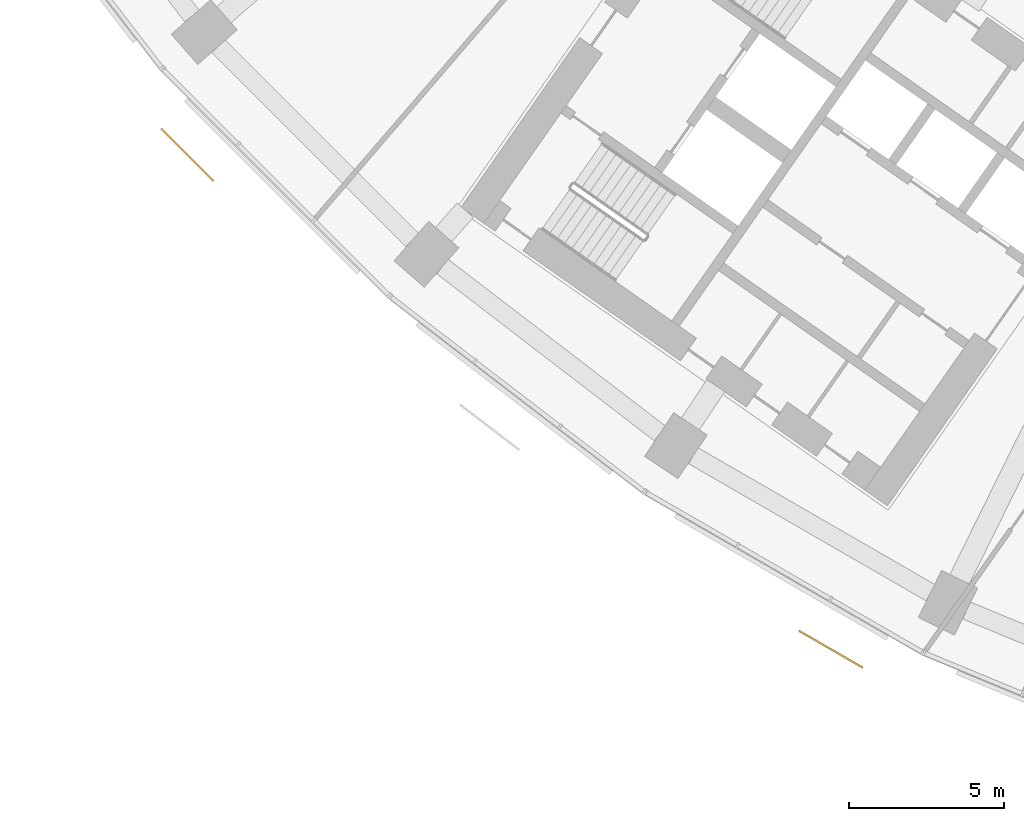
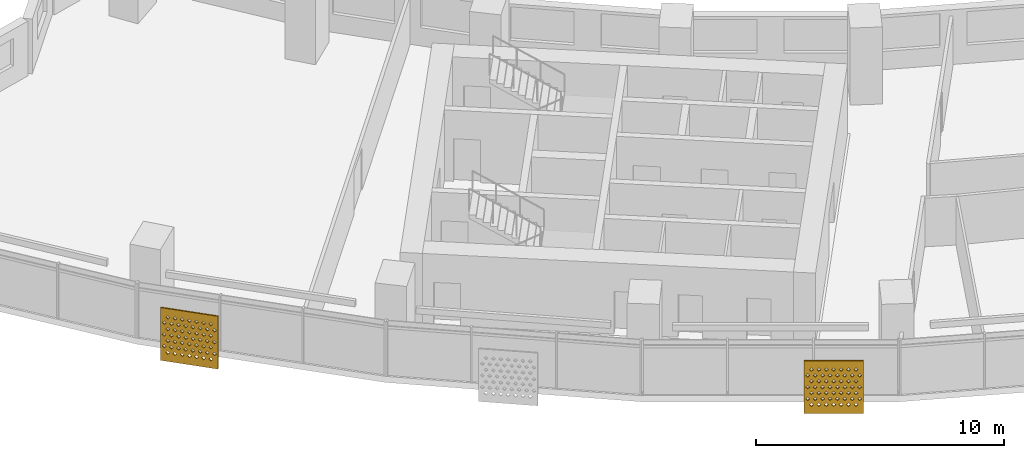
# One storey, part 25 of 31: 2 shading devices.
"""IFC4 building model written with IfcOpenShell, lengths in metres."""

from ifc_helpers import new_model, si_unit, direction, frame, origin, place, context, subcontext, project, spatial, polyline, outline, extrude, material, material_profile, profile_set, type_object, element, save


model = new_model("IFC4")

# Units and contexts
model_context = context("Model", 3, precision=1e-05, world=origin(), true_north=direction((0.0, 1.0)))
body_context = subcontext(model_context, "Body", "Model", "MODEL_VIEW")
ifc_project = project(units=[si_unit("LENGTHUNIT", "METRE"), si_unit("AREAUNIT", "SQUARE_METRE"), si_unit("VOLUMEUNIT", "CUBIC_METRE"), si_unit("PLANEANGLEUNIT", "RADIAN"), si_unit("MASSUNIT", "GRAM", prefix="KILO")], contexts=[model_context])

# Site, building, storey
site_placement = place(None, origin())
site = spatial("IfcSite", under=ifc_project, at=site_placement, CompositionType="ELEMENT")
building_placement = place(site_placement, origin())
building = spatial("IfcBuilding", under=site, at=building_placement, Name="Qamariyya Broadcast Tower", CompositionType="ELEMENT")
storey_placement = place(building_placement, frame((0.0, 0.0, 59.5)))
storey = spatial("IfcBuildingStorey", under=building, at=storey_placement, Name="L11", CompositionType="ELEMENT", Elevation=59.5)

# Shading devices
ifc_material = material(Name="Perforated glazed terracotta", Category="masonry")
ifc_material_profile = material_profile(ifc_material, outline(polyline([(-1.199951171875, -1.300048828125), (1.199951171875, -1.300048828125), (1.199951171875, 1.300048828125), (-1.199951171875, 1.300048828125), (-1.199951171875, -1.300048828125)]), holes=[polyline([(-0.81494140625, -0.86669921875), (-0.89990234375, -0.78173828125), (-0.985107421875, -0.86669921875), (-0.89990234375, -0.95166015625), (-0.81494140625, -0.86669921875)]), polyline([(-0.514892578125, -0.86669921875), (-0.60009765625, -0.78173828125), (-0.68505859375, -0.86669921875), (-0.60009765625, -0.95166015625), (-0.514892578125, -0.86669921875)]), polyline([(-0.215087890625, -0.86669921875), (-0.300048828125, -0.78173828125), (-0.385009765625, -0.86669921875), (-0.300048828125, -0.95166015625), (-0.215087890625, -0.86669921875)]), polyline([(0.0849609375, -0.86669921875), (0.0, -0.78173828125), (-0.0849609375, -0.86669921875), (0.0, -0.95166015625), (0.0849609375, -0.86669921875)]), polyline([(0.385009765625, -0.86669921875), (0.300048828125, -0.78173828125), (0.215087890625, -0.86669921875), (0.300048828125, -0.95166015625), (0.385009765625, -0.86669921875)]), polyline([(0.68505859375, -0.86669921875), (0.60009765625, -0.78173828125), (0.514892578125, -0.86669921875), (0.60009765625, -0.95166015625), (0.68505859375, -0.86669921875)]), polyline([(0.985107421875, -0.86669921875), (0.89990234375, -0.78173828125), (0.81494140625, -0.86669921875), (0.89990234375, -0.95166015625), (0.985107421875, -0.86669921875)]), polyline([(-0.965087890625, -0.577880859375), (-1.050048828125, -0.49267578125), (-1.135009765625, -0.577880859375), (-1.050048828125, -0.662841796875), (-0.965087890625, -0.577880859375)]), polyline([(-0.6650390625, -0.577880859375), (-0.75, -0.49267578125), (-0.8349609375, -0.577880859375), (-0.75, -0.662841796875), (-0.6650390625, -0.577880859375)]), polyline([(-0.364990234375, -0.577880859375), (-0.449951171875, -0.49267578125), (-0.534912109375, -0.577880859375), (-0.449951171875, -0.662841796875), (-0.364990234375, -0.577880859375)]), polyline([(-0.06494140625, -0.577880859375), (-0.14990234375, -0.49267578125), (-0.235107421875, -0.577880859375), (-0.14990234375, -0.662841796875), (-0.06494140625, -0.577880859375)]), polyline([(0.235107421875, -0.577880859375), (0.14990234375, -0.49267578125), (0.06494140625, -0.577880859375), (0.14990234375, -0.662841796875), (0.235107421875, -0.577880859375)]), polyline([(0.534912109375, -0.577880859375), (0.449951171875, -0.49267578125), (0.364990234375, -0.577880859375), (0.449951171875, -0.662841796875), (0.534912109375, -0.577880859375)]), polyline([(0.8349609375, -0.577880859375), (0.75, -0.49267578125), (0.6650390625, -0.577880859375), (0.75, -0.662841796875), (0.8349609375, -0.577880859375)]), polyline([(1.135009765625, -0.577880859375), (1.050048828125, -0.49267578125), (0.965087890625, -0.577880859375), (1.050048828125, -0.662841796875), (1.135009765625, -0.577880859375)]), polyline([(-0.81494140625, -0.288818359375), (-0.89990234375, -0.203857421875), (-0.985107421875, -0.288818359375), (-0.89990234375, -0.373779296875), (-0.81494140625, -0.288818359375)]), polyline([(-0.514892578125, -0.288818359375), (-0.60009765625, -0.203857421875), (-0.68505859375, -0.288818359375), (-0.60009765625, -0.373779296875), (-0.514892578125, -0.288818359375)]), polyline([(-0.215087890625, -0.288818359375), (-0.300048828125, -0.203857421875), (-0.385009765625, -0.288818359375), (-0.300048828125, -0.373779296875), (-0.215087890625, -0.288818359375)]), polyline([(0.0849609375, -0.288818359375), (0.0, -0.203857421875), (-0.0849609375, -0.288818359375), (0.0, -0.373779296875), (0.0849609375, -0.288818359375)]), polyline([(0.385009765625, -0.288818359375), (0.300048828125, -0.203857421875), (0.215087890625, -0.288818359375), (0.300048828125, -0.373779296875), (0.385009765625, -0.288818359375)]), polyline([(0.68505859375, -0.288818359375), (0.60009765625, -0.203857421875), (0.514892578125, -0.288818359375), (0.60009765625, -0.373779296875), (0.68505859375, -0.288818359375)]), polyline([(0.985107421875, -0.288818359375), (0.89990234375, -0.203857421875), (0.81494140625, -0.288818359375), (0.89990234375, -0.373779296875), (0.985107421875, -0.288818359375)]), polyline([(-0.965087890625, 0.0), (-1.050048828125, 0.0849609375), (-1.135009765625, 0.0), (-1.050048828125, -0.0849609375), (-0.965087890625, 0.0)]), polyline([(-0.6650390625, 0.0), (-0.75, 0.0849609375), (-0.8349609375, 0.0), (-0.75, -0.0849609375), (-0.6650390625, 0.0)]), polyline([(-0.364990234375, 0.0), (-0.449951171875, 0.0849609375), (-0.534912109375, 0.0), (-0.449951171875, -0.0849609375), (-0.364990234375, 0.0)]), polyline([(-0.06494140625, 0.0), (-0.14990234375, 0.0849609375), (-0.235107421875, 0.0), (-0.14990234375, -0.0849609375), (-0.06494140625, 0.0)]), polyline([(0.235107421875, 0.0), (0.14990234375, 0.0849609375), (0.06494140625, 0.0), (0.14990234375, -0.0849609375), (0.235107421875, 0.0)]), polyline([(0.534912109375, 0.0), (0.449951171875, 0.0849609375), (0.364990234375, 0.0), (0.449951171875, -0.0849609375), (0.534912109375, 0.0)]), polyline([(0.8349609375, 0.0), (0.75, 0.0849609375), (0.6650390625, 0.0), (0.75, -0.0849609375), (0.8349609375, 0.0)]), polyline([(1.135009765625, 0.0), (1.050048828125, 0.0849609375), (0.965087890625, 0.0), (1.050048828125, -0.0849609375), (1.135009765625, 0.0)]), polyline([(-0.81494140625, 0.288818359375), (-0.89990234375, 0.373779296875), (-0.985107421875, 0.288818359375), (-0.89990234375, 0.203857421875), (-0.81494140625, 0.288818359375)]), polyline([(-0.514892578125, 0.288818359375), (-0.60009765625, 0.373779296875), (-0.68505859375, 0.288818359375), (-0.60009765625, 0.203857421875), (-0.514892578125, 0.288818359375)]), polyline([(-0.215087890625, 0.288818359375), (-0.300048828125, 0.373779296875), (-0.385009765625, 0.288818359375), (-0.300048828125, 0.203857421875), (-0.215087890625, 0.288818359375)]), polyline([(0.0849609375, 0.288818359375), (0.0, 0.373779296875), (-0.0849609375, 0.288818359375), (0.0, 0.203857421875), (0.0849609375, 0.288818359375)]), polyline([(0.385009765625, 0.288818359375), (0.300048828125, 0.373779296875), (0.215087890625, 0.288818359375), (0.300048828125, 0.203857421875), (0.385009765625, 0.288818359375)]), polyline([(0.68505859375, 0.288818359375), (0.60009765625, 0.373779296875), (0.514892578125, 0.288818359375), (0.60009765625, 0.203857421875), (0.68505859375, 0.288818359375)]), polyline([(0.985107421875, 0.288818359375), (0.89990234375, 0.373779296875), (0.81494140625, 0.288818359375), (0.89990234375, 0.203857421875), (0.985107421875, 0.288818359375)]), polyline([(-0.965087890625, 0.577880859375), (-1.050048828125, 0.662841796875), (-1.135009765625, 0.577880859375), (-1.050048828125, 0.49267578125), (-0.965087890625, 0.577880859375)]), polyline([(-0.6650390625, 0.577880859375), (-0.75, 0.662841796875), (-0.8349609375, 0.577880859375), (-0.75, 0.49267578125), (-0.6650390625, 0.577880859375)]), polyline([(-0.364990234375, 0.577880859375), (-0.449951171875, 0.662841796875), (-0.534912109375, 0.577880859375), (-0.449951171875, 0.49267578125), (-0.364990234375, 0.577880859375)]), polyline([(-0.06494140625, 0.577880859375), (-0.14990234375, 0.662841796875), (-0.235107421875, 0.577880859375), (-0.14990234375, 0.49267578125), (-0.06494140625, 0.577880859375)]), polyline([(0.235107421875, 0.577880859375), (0.14990234375, 0.662841796875), (0.06494140625, 0.577880859375), (0.14990234375, 0.49267578125), (0.235107421875, 0.577880859375)]), polyline([(0.534912109375, 0.577880859375), (0.449951171875, 0.662841796875), (0.364990234375, 0.577880859375), (0.449951171875, 0.49267578125), (0.534912109375, 0.577880859375)]), polyline([(0.8349609375, 0.577880859375), (0.75, 0.662841796875), (0.6650390625, 0.577880859375), (0.75, 0.49267578125), (0.8349609375, 0.577880859375)]), polyline([(1.135009765625, 0.577880859375), (1.050048828125, 0.662841796875), (0.965087890625, 0.577880859375), (1.050048828125, 0.49267578125), (1.135009765625, 0.577880859375)]), polyline([(-0.81494140625, 0.86669921875), (-0.89990234375, 0.95166015625), (-0.985107421875, 0.86669921875), (-0.89990234375, 0.78173828125), (-0.81494140625, 0.86669921875)]), polyline([(-0.514892578125, 0.86669921875), (-0.60009765625, 0.95166015625), (-0.68505859375, 0.86669921875), (-0.60009765625, 0.78173828125), (-0.514892578125, 0.86669921875)]), polyline([(-0.215087890625, 0.86669921875), (-0.300048828125, 0.95166015625), (-0.385009765625, 0.86669921875), (-0.300048828125, 0.78173828125), (-0.215087890625, 0.86669921875)]), polyline([(0.0849609375, 0.86669921875), (0.0, 0.95166015625), (-0.0849609375, 0.86669921875), (0.0, 0.78173828125), (0.0849609375, 0.86669921875)]), polyline([(0.385009765625, 0.86669921875), (0.300048828125, 0.95166015625), (0.215087890625, 0.86669921875), (0.300048828125, 0.78173828125), (0.385009765625, 0.86669921875)]), polyline([(0.68505859375, 0.86669921875), (0.60009765625, 0.95166015625), (0.514892578125, 0.86669921875), (0.60009765625, 0.78173828125), (0.68505859375, 0.86669921875)]), polyline([(0.985107421875, 0.86669921875), (0.89990234375, 0.95166015625), (0.81494140625, 0.86669921875), (0.89990234375, 0.78173828125), (0.985107421875, 0.86669921875)])]))
ifc_profile_set = profile_set([ifc_material_profile], Name="Perforated glazed terracotta")
shading_device_type = type_object("IfcShadingDeviceType", Name="Perforated terracotta screen 2400 x 2600", PredefinedType="USERDEFINED", material=ifc_profile_set)
shading_device_1_placement = place(storey_placement, frame((-58.977294921875, -55.2197265625, 1.35009765625), z_axis=(-0.707106781187, -0.707106781187, 0.0), x_axis=(0.707106781187, -0.707106781187, 0.0)))
element("IfcShadingDevice", 1, at=shading_device_1_placement, inside=storey, type_object=shading_device_type, Name="e-scr-L11-02-0", ObjectType="SCREEN", PredefinedType="USERDEFINED", context=body_context, shape_type="SweptSolid", body=[
    extrude(outline(polyline([(-1.199951171875, -1.300048828125), (1.199951171875, -1.300048828125), (1.199951171875, 1.300048828125), (-1.199951171875, 1.300048828125), (-1.199951171875, -1.300048828125)]), holes=[polyline([(-0.81494140625, -0.86669921875), (-0.89990234375, -0.78173828125), (-0.985107421875, -0.86669921875), (-0.89990234375, -0.95166015625), (-0.81494140625, -0.86669921875)]), polyline([(-0.514892578125, -0.86669921875), (-0.60009765625, -0.78173828125), (-0.68505859375, -0.86669921875), (-0.60009765625, -0.95166015625), (-0.514892578125, -0.86669921875)]), polyline([(-0.215087890625, -0.86669921875), (-0.300048828125, -0.78173828125), (-0.385009765625, -0.86669921875), (-0.300048828125, -0.95166015625), (-0.215087890625, -0.86669921875)]), polyline([(0.0849609375, -0.86669921875), (0.0, -0.78173828125), (-0.0849609375, -0.86669921875), (0.0, -0.95166015625), (0.0849609375, -0.86669921875)]), polyline([(0.385009765625, -0.86669921875), (0.300048828125, -0.78173828125), (0.215087890625, -0.86669921875), (0.300048828125, -0.95166015625), (0.385009765625, -0.86669921875)]), polyline([(0.68505859375, -0.86669921875), (0.60009765625, -0.78173828125), (0.514892578125, -0.86669921875), (0.60009765625, -0.95166015625), (0.68505859375, -0.86669921875)]), polyline([(0.985107421875, -0.86669921875), (0.89990234375, -0.78173828125), (0.81494140625, -0.86669921875), (0.89990234375, -0.95166015625), (0.985107421875, -0.86669921875)]), polyline([(-0.965087890625, -0.577880859375), (-1.050048828125, -0.49267578125), (-1.135009765625, -0.577880859375), (-1.050048828125, -0.662841796875), (-0.965087890625, -0.577880859375)]), polyline([(-0.6650390625, -0.577880859375), (-0.75, -0.49267578125), (-0.8349609375, -0.577880859375), (-0.75, -0.662841796875), (-0.6650390625, -0.577880859375)]), polyline([(-0.364990234375, -0.577880859375), (-0.449951171875, -0.49267578125), (-0.534912109375, -0.577880859375), (-0.449951171875, -0.662841796875), (-0.364990234375, -0.577880859375)]), polyline([(-0.06494140625, -0.577880859375), (-0.14990234375, -0.49267578125), (-0.235107421875, -0.577880859375), (-0.14990234375, -0.662841796875), (-0.06494140625, -0.577880859375)]), polyline([(0.235107421875, -0.577880859375), (0.14990234375, -0.49267578125), (0.06494140625, -0.577880859375), (0.14990234375, -0.662841796875), (0.235107421875, -0.577880859375)]), polyline([(0.534912109375, -0.577880859375), (0.449951171875, -0.49267578125), (0.364990234375, -0.577880859375), (0.449951171875, -0.662841796875), (0.534912109375, -0.577880859375)]), polyline([(0.8349609375, -0.577880859375), (0.75, -0.49267578125), (0.6650390625, -0.577880859375), (0.75, -0.662841796875), (0.8349609375, -0.577880859375)]), polyline([(1.135009765625, -0.577880859375), (1.050048828125, -0.49267578125), (0.965087890625, -0.577880859375), (1.050048828125, -0.662841796875), (1.135009765625, -0.577880859375)]), polyline([(-0.81494140625, -0.288818359375), (-0.89990234375, -0.203857421875), (-0.985107421875, -0.288818359375), (-0.89990234375, -0.373779296875), (-0.81494140625, -0.288818359375)]), polyline([(-0.514892578125, -0.288818359375), (-0.60009765625, -0.203857421875), (-0.68505859375, -0.288818359375), (-0.60009765625, -0.373779296875), (-0.514892578125, -0.288818359375)]), polyline([(-0.215087890625, -0.288818359375), (-0.300048828125, -0.203857421875), (-0.385009765625, -0.288818359375), (-0.300048828125, -0.373779296875), (-0.215087890625, -0.288818359375)]), polyline([(0.0849609375, -0.288818359375), (0.0, -0.203857421875), (-0.0849609375, -0.288818359375), (0.0, -0.373779296875), (0.0849609375, -0.288818359375)]), polyline([(0.385009765625, -0.288818359375), (0.300048828125, -0.203857421875), (0.215087890625, -0.288818359375), (0.300048828125, -0.373779296875), (0.385009765625, -0.288818359375)]), polyline([(0.68505859375, -0.288818359375), (0.60009765625, -0.203857421875), (0.514892578125, -0.288818359375), (0.60009765625, -0.373779296875), (0.68505859375, -0.288818359375)]), polyline([(0.985107421875, -0.288818359375), (0.89990234375, -0.203857421875), (0.81494140625, -0.288818359375), (0.89990234375, -0.373779296875), (0.985107421875, -0.288818359375)]), polyline([(-0.965087890625, 0.0), (-1.050048828125, 0.0849609375), (-1.135009765625, 0.0), (-1.050048828125, -0.0849609375), (-0.965087890625, 0.0)]), polyline([(-0.6650390625, 0.0), (-0.75, 0.0849609375), (-0.8349609375, 0.0), (-0.75, -0.0849609375), (-0.6650390625, 0.0)]), polyline([(-0.364990234375, 0.0), (-0.449951171875, 0.0849609375), (-0.534912109375, 0.0), (-0.449951171875, -0.0849609375), (-0.364990234375, 0.0)]), polyline([(-0.06494140625, 0.0), (-0.14990234375, 0.0849609375), (-0.235107421875, 0.0), (-0.14990234375, -0.0849609375), (-0.06494140625, 0.0)]), polyline([(0.235107421875, 0.0), (0.14990234375, 0.0849609375), (0.06494140625, 0.0), (0.14990234375, -0.0849609375), (0.235107421875, 0.0)]), polyline([(0.534912109375, 0.0), (0.449951171875, 0.0849609375), (0.364990234375, 0.0), (0.449951171875, -0.0849609375), (0.534912109375, 0.0)]), polyline([(0.8349609375, 0.0), (0.75, 0.0849609375), (0.6650390625, 0.0), (0.75, -0.0849609375), (0.8349609375, 0.0)]), polyline([(1.135009765625, 0.0), (1.050048828125, 0.0849609375), (0.965087890625, 0.0), (1.050048828125, -0.0849609375), (1.135009765625, 0.0)]), polyline([(-0.81494140625, 0.288818359375), (-0.89990234375, 0.373779296875), (-0.985107421875, 0.288818359375), (-0.89990234375, 0.203857421875), (-0.81494140625, 0.288818359375)]), polyline([(-0.514892578125, 0.288818359375), (-0.60009765625, 0.373779296875), (-0.68505859375, 0.288818359375), (-0.60009765625, 0.203857421875), (-0.514892578125, 0.288818359375)]), polyline([(-0.215087890625, 0.288818359375), (-0.300048828125, 0.373779296875), (-0.385009765625, 0.288818359375), (-0.300048828125, 0.203857421875), (-0.215087890625, 0.288818359375)]), polyline([(0.0849609375, 0.288818359375), (0.0, 0.373779296875), (-0.0849609375, 0.288818359375), (0.0, 0.203857421875), (0.0849609375, 0.288818359375)]), polyline([(0.385009765625, 0.288818359375), (0.300048828125, 0.373779296875), (0.215087890625, 0.288818359375), (0.300048828125, 0.203857421875), (0.385009765625, 0.288818359375)]), polyline([(0.68505859375, 0.288818359375), (0.60009765625, 0.373779296875), (0.514892578125, 0.288818359375), (0.60009765625, 0.203857421875), (0.68505859375, 0.288818359375)]), polyline([(0.985107421875, 0.288818359375), (0.89990234375, 0.373779296875), (0.81494140625, 0.288818359375), (0.89990234375, 0.203857421875), (0.985107421875, 0.288818359375)]), polyline([(-0.965087890625, 0.577880859375), (-1.050048828125, 0.662841796875), (-1.135009765625, 0.577880859375), (-1.050048828125, 0.49267578125), (-0.965087890625, 0.577880859375)]), polyline([(-0.6650390625, 0.577880859375), (-0.75, 0.662841796875), (-0.8349609375, 0.577880859375), (-0.75, 0.49267578125), (-0.6650390625, 0.577880859375)]), polyline([(-0.364990234375, 0.577880859375), (-0.449951171875, 0.662841796875), (-0.534912109375, 0.577880859375), (-0.449951171875, 0.49267578125), (-0.364990234375, 0.577880859375)]), polyline([(-0.06494140625, 0.577880859375), (-0.14990234375, 0.662841796875), (-0.235107421875, 0.577880859375), (-0.14990234375, 0.49267578125), (-0.06494140625, 0.577880859375)]), polyline([(0.235107421875, 0.577880859375), (0.14990234375, 0.662841796875), (0.06494140625, 0.577880859375), (0.14990234375, 0.49267578125), (0.235107421875, 0.577880859375)]), polyline([(0.534912109375, 0.577880859375), (0.449951171875, 0.662841796875), (0.364990234375, 0.577880859375), (0.449951171875, 0.49267578125), (0.534912109375, 0.577880859375)]), polyline([(0.8349609375, 0.577880859375), (0.75, 0.662841796875), (0.6650390625, 0.577880859375), (0.75, 0.49267578125), (0.8349609375, 0.577880859375)]), polyline([(1.135009765625, 0.577880859375), (1.050048828125, 0.662841796875), (0.965087890625, 0.577880859375), (1.050048828125, 0.49267578125), (1.135009765625, 0.577880859375)]), polyline([(-0.81494140625, 0.86669921875), (-0.89990234375, 0.95166015625), (-0.985107421875, 0.86669921875), (-0.89990234375, 0.78173828125), (-0.81494140625, 0.86669921875)]), polyline([(-0.514892578125, 0.86669921875), (-0.60009765625, 0.95166015625), (-0.68505859375, 0.86669921875), (-0.60009765625, 0.78173828125), (-0.514892578125, 0.86669921875)]), polyline([(-0.215087890625, 0.86669921875), (-0.300048828125, 0.95166015625), (-0.385009765625, 0.86669921875), (-0.300048828125, 0.78173828125), (-0.215087890625, 0.86669921875)]), polyline([(0.0849609375, 0.86669921875), (0.0, 0.95166015625), (-0.0849609375, 0.86669921875), (0.0, 0.78173828125), (0.0849609375, 0.86669921875)]), polyline([(0.385009765625, 0.86669921875), (0.300048828125, 0.95166015625), (0.215087890625, 0.86669921875), (0.300048828125, 0.78173828125), (0.385009765625, 0.86669921875)]), polyline([(0.68505859375, 0.86669921875), (0.60009765625, 0.95166015625), (0.514892578125, 0.86669921875), (0.60009765625, 0.78173828125), (0.68505859375, 0.86669921875)]), polyline([(0.985107421875, 0.86669921875), (0.89990234375, 0.95166015625), (0.81494140625, 0.86669921875), (0.89990234375, 0.78173828125), (0.985107421875, 0.86669921875)])]), origin(), (0.0, 0.0, 1.0), 0.06005859375),
])
shading_device_2_placement = place(storey_placement, frame((-38.164306640625, -71.207275390625, 1.35009765625), z_axis=(-0.500074377092, -0.865982457891, 0.0), x_axis=(0.865982457891, -0.500074377092, 0.0)))
element("IfcShadingDevice", 2, at=shading_device_2_placement, inside=storey, type_object=shading_device_type, Name="e-scr-L11-04-2", ObjectType="SCREEN", PredefinedType="USERDEFINED", context=body_context, shape_type="SweptSolid", body=[
    extrude(outline(polyline([(-1.199951171875, -1.300048828125), (1.199951171875, -1.300048828125), (1.199951171875, 1.300048828125), (-1.199951171875, 1.300048828125), (-1.199951171875, -1.300048828125)]), holes=[polyline([(-0.81494140625, -0.86669921875), (-0.89990234375, -0.78173828125), (-0.985107421875, -0.86669921875), (-0.89990234375, -0.95166015625), (-0.81494140625, -0.86669921875)]), polyline([(-0.514892578125, -0.86669921875), (-0.60009765625, -0.78173828125), (-0.68505859375, -0.86669921875), (-0.60009765625, -0.95166015625), (-0.514892578125, -0.86669921875)]), polyline([(-0.215087890625, -0.86669921875), (-0.300048828125, -0.78173828125), (-0.385009765625, -0.86669921875), (-0.300048828125, -0.95166015625), (-0.215087890625, -0.86669921875)]), polyline([(0.0849609375, -0.86669921875), (0.0, -0.78173828125), (-0.0849609375, -0.86669921875), (0.0, -0.95166015625), (0.0849609375, -0.86669921875)]), polyline([(0.385009765625, -0.86669921875), (0.300048828125, -0.78173828125), (0.215087890625, -0.86669921875), (0.300048828125, -0.95166015625), (0.385009765625, -0.86669921875)]), polyline([(0.68505859375, -0.86669921875), (0.60009765625, -0.78173828125), (0.514892578125, -0.86669921875), (0.60009765625, -0.95166015625), (0.68505859375, -0.86669921875)]), polyline([(0.985107421875, -0.86669921875), (0.89990234375, -0.78173828125), (0.81494140625, -0.86669921875), (0.89990234375, -0.95166015625), (0.985107421875, -0.86669921875)]), polyline([(-0.965087890625, -0.577880859375), (-1.050048828125, -0.49267578125), (-1.135009765625, -0.577880859375), (-1.050048828125, -0.662841796875), (-0.965087890625, -0.577880859375)]), polyline([(-0.6650390625, -0.577880859375), (-0.75, -0.49267578125), (-0.8349609375, -0.577880859375), (-0.75, -0.662841796875), (-0.6650390625, -0.577880859375)]), polyline([(-0.364990234375, -0.577880859375), (-0.449951171875, -0.49267578125), (-0.534912109375, -0.577880859375), (-0.449951171875, -0.662841796875), (-0.364990234375, -0.577880859375)]), polyline([(-0.06494140625, -0.577880859375), (-0.14990234375, -0.49267578125), (-0.235107421875, -0.577880859375), (-0.14990234375, -0.662841796875), (-0.06494140625, -0.577880859375)]), polyline([(0.235107421875, -0.577880859375), (0.14990234375, -0.49267578125), (0.06494140625, -0.577880859375), (0.14990234375, -0.662841796875), (0.235107421875, -0.577880859375)]), polyline([(0.534912109375, -0.577880859375), (0.449951171875, -0.49267578125), (0.364990234375, -0.577880859375), (0.449951171875, -0.662841796875), (0.534912109375, -0.577880859375)]), polyline([(0.8349609375, -0.577880859375), (0.75, -0.49267578125), (0.6650390625, -0.577880859375), (0.75, -0.662841796875), (0.8349609375, -0.577880859375)]), polyline([(1.135009765625, -0.577880859375), (1.050048828125, -0.49267578125), (0.965087890625, -0.577880859375), (1.050048828125, -0.662841796875), (1.135009765625, -0.577880859375)]), polyline([(-0.81494140625, -0.288818359375), (-0.89990234375, -0.203857421875), (-0.985107421875, -0.288818359375), (-0.89990234375, -0.373779296875), (-0.81494140625, -0.288818359375)]), polyline([(-0.514892578125, -0.288818359375), (-0.60009765625, -0.203857421875), (-0.68505859375, -0.288818359375), (-0.60009765625, -0.373779296875), (-0.514892578125, -0.288818359375)]), polyline([(-0.215087890625, -0.288818359375), (-0.300048828125, -0.203857421875), (-0.385009765625, -0.288818359375), (-0.300048828125, -0.373779296875), (-0.215087890625, -0.288818359375)]), polyline([(0.0849609375, -0.288818359375), (0.0, -0.203857421875), (-0.0849609375, -0.288818359375), (0.0, -0.373779296875), (0.0849609375, -0.288818359375)]), polyline([(0.385009765625, -0.288818359375), (0.300048828125, -0.203857421875), (0.215087890625, -0.288818359375), (0.300048828125, -0.373779296875), (0.385009765625, -0.288818359375)]), polyline([(0.68505859375, -0.288818359375), (0.60009765625, -0.203857421875), (0.514892578125, -0.288818359375), (0.60009765625, -0.373779296875), (0.68505859375, -0.288818359375)]), polyline([(0.985107421875, -0.288818359375), (0.89990234375, -0.203857421875), (0.81494140625, -0.288818359375), (0.89990234375, -0.373779296875), (0.985107421875, -0.288818359375)]), polyline([(-0.965087890625, 0.0), (-1.050048828125, 0.0849609375), (-1.135009765625, 0.0), (-1.050048828125, -0.0849609375), (-0.965087890625, 0.0)]), polyline([(-0.6650390625, 0.0), (-0.75, 0.0849609375), (-0.8349609375, 0.0), (-0.75, -0.0849609375), (-0.6650390625, 0.0)]), polyline([(-0.364990234375, 0.0), (-0.449951171875, 0.0849609375), (-0.534912109375, 0.0), (-0.449951171875, -0.0849609375), (-0.364990234375, 0.0)]), polyline([(-0.06494140625, 0.0), (-0.14990234375, 0.0849609375), (-0.235107421875, 0.0), (-0.14990234375, -0.0849609375), (-0.06494140625, 0.0)]), polyline([(0.235107421875, 0.0), (0.14990234375, 0.0849609375), (0.06494140625, 0.0), (0.14990234375, -0.0849609375), (0.235107421875, 0.0)]), polyline([(0.534912109375, 0.0), (0.449951171875, 0.0849609375), (0.364990234375, 0.0), (0.449951171875, -0.0849609375), (0.534912109375, 0.0)]), polyline([(0.8349609375, 0.0), (0.75, 0.0849609375), (0.6650390625, 0.0), (0.75, -0.0849609375), (0.8349609375, 0.0)]), polyline([(1.135009765625, 0.0), (1.050048828125, 0.0849609375), (0.965087890625, 0.0), (1.050048828125, -0.0849609375), (1.135009765625, 0.0)]), polyline([(-0.81494140625, 0.288818359375), (-0.89990234375, 0.373779296875), (-0.985107421875, 0.288818359375), (-0.89990234375, 0.203857421875), (-0.81494140625, 0.288818359375)]), polyline([(-0.514892578125, 0.288818359375), (-0.60009765625, 0.373779296875), (-0.68505859375, 0.288818359375), (-0.60009765625, 0.203857421875), (-0.514892578125, 0.288818359375)]), polyline([(-0.215087890625, 0.288818359375), (-0.300048828125, 0.373779296875), (-0.385009765625, 0.288818359375), (-0.300048828125, 0.203857421875), (-0.215087890625, 0.288818359375)]), polyline([(0.0849609375, 0.288818359375), (0.0, 0.373779296875), (-0.0849609375, 0.288818359375), (0.0, 0.203857421875), (0.0849609375, 0.288818359375)]), polyline([(0.385009765625, 0.288818359375), (0.300048828125, 0.373779296875), (0.215087890625, 0.288818359375), (0.300048828125, 0.203857421875), (0.385009765625, 0.288818359375)]), polyline([(0.68505859375, 0.288818359375), (0.60009765625, 0.373779296875), (0.514892578125, 0.288818359375), (0.60009765625, 0.203857421875), (0.68505859375, 0.288818359375)]), polyline([(0.985107421875, 0.288818359375), (0.89990234375, 0.373779296875), (0.81494140625, 0.288818359375), (0.89990234375, 0.203857421875), (0.985107421875, 0.288818359375)]), polyline([(-0.965087890625, 0.577880859375), (-1.050048828125, 0.662841796875), (-1.135009765625, 0.577880859375), (-1.050048828125, 0.49267578125), (-0.965087890625, 0.577880859375)]), polyline([(-0.6650390625, 0.577880859375), (-0.75, 0.662841796875), (-0.8349609375, 0.577880859375), (-0.75, 0.49267578125), (-0.6650390625, 0.577880859375)]), polyline([(-0.364990234375, 0.577880859375), (-0.449951171875, 0.662841796875), (-0.534912109375, 0.577880859375), (-0.449951171875, 0.49267578125), (-0.364990234375, 0.577880859375)]), polyline([(-0.06494140625, 0.577880859375), (-0.14990234375, 0.662841796875), (-0.235107421875, 0.577880859375), (-0.14990234375, 0.49267578125), (-0.06494140625, 0.577880859375)]), polyline([(0.235107421875, 0.577880859375), (0.14990234375, 0.662841796875), (0.06494140625, 0.577880859375), (0.14990234375, 0.49267578125), (0.235107421875, 0.577880859375)]), polyline([(0.534912109375, 0.577880859375), (0.449951171875, 0.662841796875), (0.364990234375, 0.577880859375), (0.449951171875, 0.49267578125), (0.534912109375, 0.577880859375)]), polyline([(0.8349609375, 0.577880859375), (0.75, 0.662841796875), (0.6650390625, 0.577880859375), (0.75, 0.49267578125), (0.8349609375, 0.577880859375)]), polyline([(1.135009765625, 0.577880859375), (1.050048828125, 0.662841796875), (0.965087890625, 0.577880859375), (1.050048828125, 0.49267578125), (1.135009765625, 0.577880859375)]), polyline([(-0.81494140625, 0.86669921875), (-0.89990234375, 0.95166015625), (-0.985107421875, 0.86669921875), (-0.89990234375, 0.78173828125), (-0.81494140625, 0.86669921875)]), polyline([(-0.514892578125, 0.86669921875), (-0.60009765625, 0.95166015625), (-0.68505859375, 0.86669921875), (-0.60009765625, 0.78173828125), (-0.514892578125, 0.86669921875)]), polyline([(-0.215087890625, 0.86669921875), (-0.300048828125, 0.95166015625), (-0.385009765625, 0.86669921875), (-0.300048828125, 0.78173828125), (-0.215087890625, 0.86669921875)]), polyline([(0.0849609375, 0.86669921875), (0.0, 0.95166015625), (-0.0849609375, 0.86669921875), (0.0, 0.78173828125), (0.0849609375, 0.86669921875)]), polyline([(0.385009765625, 0.86669921875), (0.300048828125, 0.95166015625), (0.215087890625, 0.86669921875), (0.300048828125, 0.78173828125), (0.385009765625, 0.86669921875)]), polyline([(0.68505859375, 0.86669921875), (0.60009765625, 0.95166015625), (0.514892578125, 0.86669921875), (0.60009765625, 0.78173828125), (0.68505859375, 0.86669921875)]), polyline([(0.985107421875, 0.86669921875), (0.89990234375, 0.95166015625), (0.81494140625, 0.86669921875), (0.89990234375, 0.78173828125), (0.985107421875, 0.86669921875)])]), origin(), (0.0, 0.0, 1.0), 0.06005859375),
])

save(model, "model.ifc")
